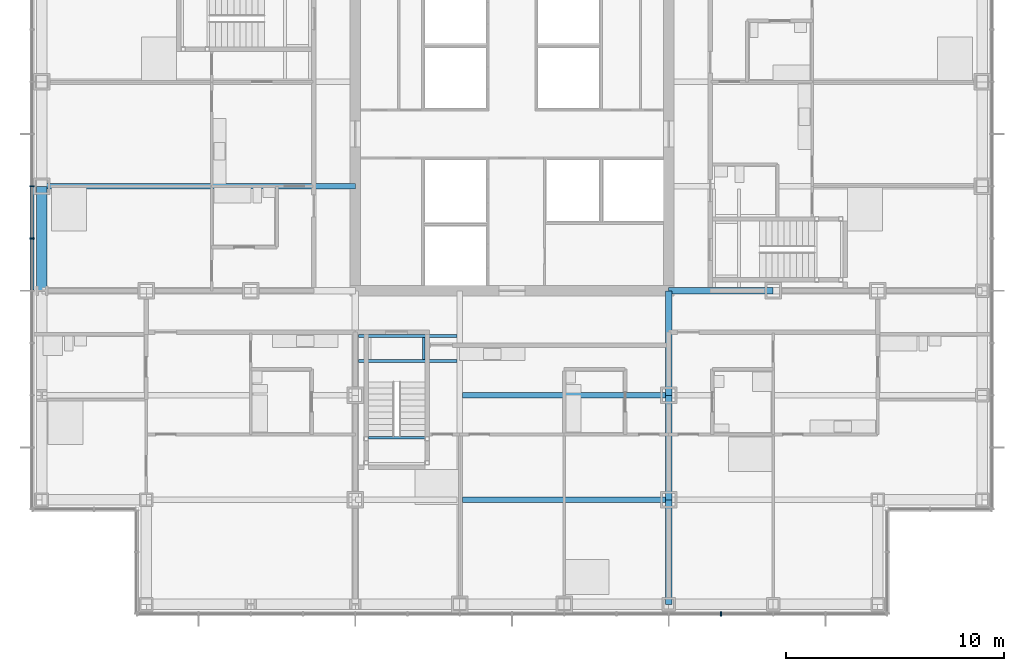
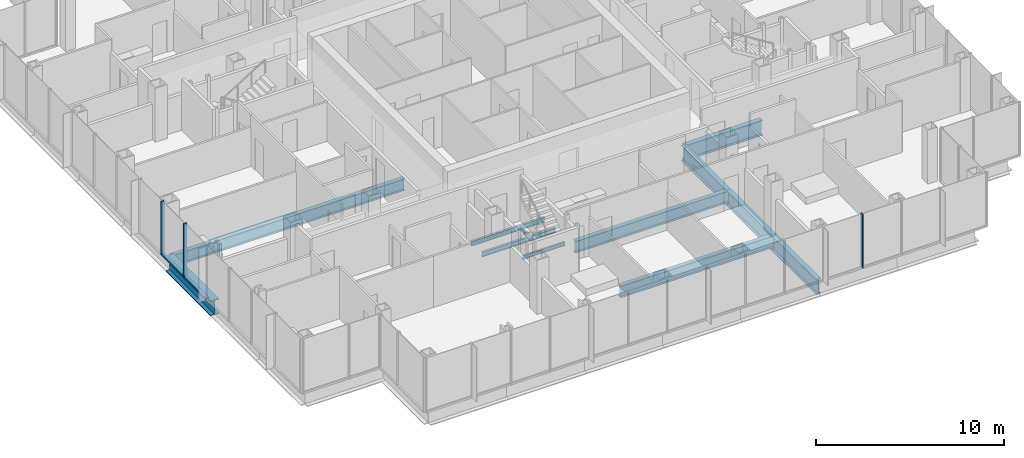
# One storey, part 7 of 21: 12 beams, 5 members, 2 elements without a shape of their own.
"""IFC4 building model written with IfcOpenShell, lengths in metres."""

from ifc_helpers import new_model, si_unit, direction, frame, origin, origin_2d, place, context, subcontext, project, spatial, rectangle, i_section, extrude, material, material_profile, profile_set, type_object, element, aggregate, save


model = new_model("IFC4")

# Units and contexts
model_context = context("Model", 3, precision=1e-05, world=origin(), true_north=direction((0.0, 1.0)))
body_context = subcontext(model_context, "Body", "Model", "MODEL_VIEW")
ifc_project = project(units=[si_unit("LENGTHUNIT", "METRE"), si_unit("AREAUNIT", "SQUARE_METRE"), si_unit("VOLUMEUNIT", "CUBIC_METRE"), si_unit("PLANEANGLEUNIT", "RADIAN"), si_unit("MASSUNIT", "GRAM", prefix="KILO")], contexts=[model_context])

# Site, building, storey
site_placement = place(None, origin())
site = spatial("IfcSite", under=ifc_project, at=site_placement, CompositionType="ELEMENT")
building_placement = place(site_placement, origin())
building = spatial("IfcBuilding", under=site, at=building_placement, Name="Kvirike Care Tower", CompositionType="ELEMENT")
storey_placement = place(building_placement, frame((0.0, 0.0, 58.5)))
storey = spatial("IfcBuildingStorey", under=building, at=storey_placement, Name="L15", CompositionType="ELEMENT", Elevation=58.5)

# Curtain wall, members
ifc_material_1 = material(Name="Anodised aluminium stick system", Category="aluminium")
curtain_wall_type = type_object("IfcCurtainWallType", Name="CW-A STICK CURTAIN WALL", PredefinedType="NOTDEFINED", material=ifc_material_1)
curtain_wall_1_placement = place(storey_placement, origin())
curtain_wall_1 = element("IfcCurtainWall", 1, at=curtain_wall_1_placement, inside=storey, type_object=curtain_wall_type, Name="Curtain wall L15 face 1", PredefinedType="NOTDEFINED")
ifc_material_2 = material(Name="Bronze anodised aluminium mullion", Category="aluminium")
ifc_material_profile_1 = material_profile(ifc_material_2, rectangle(XDim=0.06494140625, YDim=0.199951171875, at=origin_2d()), Name="CW-A MULLION 65x200")
ifc_profile_set_1 = profile_set([ifc_material_profile_1], Name="Bronze anodised aluminium mullion")
member_type_1 = type_object("IfcMemberType", Name="CW-A MULLION 65x200", PredefinedType="MULLION", material=ifc_profile_set_1)
member_1_placement = place(storey_placement, frame((-0.449951171875, 33.60009765625, 0.0), z_axis=(0.0, 0.0, 1.0), x_axis=(0.0, -1.0, 0.0)))
member_1 = element("IfcMember", 2, at=member_1_placement, type_object=member_type_1, Name="CW-A mullion L15 face 1.9", PredefinedType="MULLION", context=body_context, shape_type="SweptSolid", body=[
    extrude(rectangle(XDim=0.06494140625, YDim=0.199951171875, at=origin_2d()), origin(), (0.0, 0.0, 1.0), 3.5),
])
member_2_placement = place(storey_placement, frame((-0.449951171875, 31.199951171875, 0.0), z_axis=(0.0, 0.0, 1.0), x_axis=(0.0, -1.0, 0.0)))
member_2 = element("IfcMember", 3, at=member_2_placement, type_object=member_type_1, Name="CW-A mullion L15 face 1.10", PredefinedType="MULLION", context=body_context, shape_type="SweptSolid", body=[
    extrude(rectangle(XDim=0.06494140625, YDim=0.199951171875, at=origin_2d()), origin(), (0.0, 0.0, 1.0), 3.5),
])

# Curtain wall, member
curtain_wall_2_placement = place(storey_placement, origin())
curtain_wall_2 = element("IfcCurtainWall", 4, at=curtain_wall_2_placement, inside=storey, type_object=curtain_wall_type, Name="Curtain wall L15 face 4", PredefinedType="NOTDEFINED")
member_3_placement = place(storey_placement, frame((31.199951171875, 13.949951171875, 0.0), z_axis=(0.0, 0.0, 1.0), x_axis=(1.0, 0.0, 0.0)))
member_3 = element("IfcMember", 5, at=member_3_placement, type_object=member_type_1, Name="CW-A mullion L15 face 4.12", PredefinedType="MULLION", context=body_context, shape_type="SweptSolid", body=[
    extrude(rectangle(XDim=0.06494140625, YDim=0.199951171875, at=origin_2d()), origin(), (0.0, 0.0, 1.0), 3.5),
])
aggregate(curtain_wall_2, [member_3])

# Member
ifc_material_3 = material(Name="Bronze anodised aluminium transom", Category="aluminium")
ifc_material_profile_2 = material_profile(ifc_material_3, rectangle(XDim=0.199951171875, YDim=0.10009765625, at=origin_2d()), Name="CW-A TRANSOM 200x100")
ifc_profile_set_2 = profile_set([ifc_material_profile_2], Name="Bronze anodised aluminium transom")
member_type_2 = type_object("IfcMemberType", Name="CW-A TRANSOM 200x100", PredefinedType="USERDEFINED", material=ifc_profile_set_2)
member_4_placement = place(storey_placement, frame((-0.449951171875, 33.5673828125, 0.050048828125), z_axis=(0.0, -1.0, 0.0), x_axis=(1.0, 0.0, 0.0)))
member_4 = element("IfcMember", 6, at=member_4_placement, type_object=member_type_2, Name="CW-A sill transom L15 face 1.9", ObjectType="TRANSOM", PredefinedType="USERDEFINED", context=body_context, shape_type="SweptSolid", body=[
    extrude(rectangle(XDim=0.199951171875, YDim=0.10009765625, at=origin_2d()), origin(), (0.0, 0.0, 1.0), 2.3349609375),
])

member_5_placement = place(storey_placement, frame((-0.449951171875, 31.16748046875, 0.050048828125), z_axis=(0.0, -1.0, 0.0), x_axis=(1.0, 0.0, 0.0)))
member_5 = element("IfcMember", 7, at=member_5_placement, type_object=member_type_2, Name="CW-A sill transom L15 face 1.10", ObjectType="TRANSOM", PredefinedType="USERDEFINED", context=body_context, shape_type="SweptSolid", body=[
    extrude(rectangle(XDim=0.199951171875, YDim=0.10009765625, at=origin_2d()), origin(), (0.0, 0.0, 1.0), 2.3349609375),
])

aggregate(curtain_wall_1, [member_1, member_2, member_4, member_5])

# Beams
ifc_material_4 = material(Name="Steel S355", Category="steel")
ifc_material_profile_3 = material_profile(ifc_material_4, i_section(OverallWidth=0.26806640625, OverallDepth=0.77001953125, WebThickness=0.015625, FlangeThickness=0.025390625, FilletRadius=0.01708984375, at=origin_2d()), Name="IPE 750x196")
ifc_profile_set_3 = profile_set([ifc_material_profile_3], Name="Steel S355")
beam_type_1 = type_object("IfcBeamType", Name="FLOOR BEAM IPE 750x196", PredefinedType="BEAM", material=ifc_profile_set_3)
for number, where, z_axis, x_axis, name in (
    (8, (19.333984375, 19.199951171875, -0.554931640625), (1.0, 0.0, 0.0), (0.0, 1.0, 0.0), "Floor Beam E7-E9 L15"),
    (9, (19.333984375, 24.0, -0.554931640625), (1.0, 0.0, 0.0), (0.0, 1.0, 0.0), "Floor Beam F7-F9 L15"),
):
    element("IfcBeam", number, at=place(storey_placement, frame(where, z_axis=z_axis, x_axis=x_axis)), inside=storey, type_object=beam_type_1, Name=name, PredefinedType="BEAM", context=body_context, shape_type="SweptSolid", body=[
        extrude(i_section(OverallWidth=0.26806640625, OverallDepth=0.77001953125, WebThickness=0.015625, FlangeThickness=0.025390625, FilletRadius=0.01708984375, at=origin_2d()), origin(), (0.0, 0.0, 1.0), 9.466064453125),
    ])
beam_1_placement = place(storey_placement, frame((0.0, 33.60009765625, -0.554931640625), z_axis=(1.0, 0.0, 0.0), x_axis=(0.0, 1.0, 0.0)))
element("IfcBeam", 10, at=beam_1_placement, inside=storey, type_object=beam_type_1, Name="Floor Beam H3-H6 L15", PredefinedType="BEAM", context=body_context, shape_type="SweptSolid", body=[
    extrude(i_section(OverallWidth=0.26806640625, OverallDepth=0.77001953125, WebThickness=0.015625, FlangeThickness=0.025390625, FilletRadius=0.01708984375, at=origin_2d()), origin(), (0.0, 0.0, 1.0), 14.39990234375),
])
ifc_material_5 = material(Name="Steel S355", Category="steel")
ifc_material_profile_4 = material_profile(ifc_material_5, i_section(OverallWidth=0.300048828125, OverallDepth=1.0, WebThickness=0.01904296875, FlangeThickness=0.035888671875, FilletRadius=0.030029296875, at=origin_2d()), Name="HE 1000 B")
ifc_profile_set_4 = profile_set([ifc_material_profile_4], Name="Steel S355")
beam_type_2 = type_object("IfcBeamType", Name="FRAME BEAM HE 1000 B", PredefinedType="BEAM", material=ifc_profile_set_4)
for number, where, z_axis, x_axis, name in (
    (11, (28.800048828125, 28.800048828125, -0.669921875), (1.0, 0.0, 0.0), (0.0, 1.0, 0.0), "Frame Beam G9-G10 L15"),
    (12, (28.800048828125, 14.39990234375, -0.669921875), (0.0, 1.0, 0.0), (-1.0, 0.0, 0.0), "Frame Beam D9-E9 L15"),
    (13, (28.800048828125, 19.199951171875, -0.669921875), (0.0, 1.0, 0.0), (-1.0, 0.0, 0.0), "Frame Beam E9-F9 L15"),
    (14, (28.800048828125, 24.0, -0.669921875), (0.0, 1.0, 0.0), (-1.0, 0.0, 0.0), "Frame Beam F9-G9 L15"),
):
    element("IfcBeam", number, at=place(storey_placement, frame(where, z_axis=z_axis, x_axis=x_axis)), inside=storey, type_object=beam_type_2, Name=name, PredefinedType="BEAM", context=body_context, shape_type="SweptSolid", body=[
        extrude(i_section(OverallWidth=0.300048828125, OverallDepth=1.0, WebThickness=0.01904296875, FlangeThickness=0.035888671875, FilletRadius=0.030029296875, at=origin_2d()), origin(), (0.0, 0.0, 1.0), 4.800048828125),
    ])
ifc_material_6 = material(Name="Steel S355", Category="steel")
ifc_material_profile_5 = material_profile(ifc_material_6, i_section(OverallWidth=0.5, OverallDepth=1.0, WebThickness=0.030029296875, FlangeThickness=0.06005859375, at=origin_2d()), Name="PG 1000x500x30x60")
ifc_profile_set_5 = profile_set([ifc_material_profile_5], Name="Steel S355")
beam_type_3 = type_object("IfcBeamType", Name="SPANDREL PG 1000x500x30x60", PredefinedType="SPANDREL", material=ifc_profile_set_5)
beam_2_placement = place(storey_placement, frame((0.0, 28.800048828125, -0.669921875), z_axis=(0.0, 1.0, 0.0), x_axis=(-1.0, 0.0, 0.0)))
element("IfcBeam", 15, at=beam_2_placement, inside=storey, type_object=beam_type_3, Name="Spandrel G3-H3 L15", PredefinedType="SPANDREL", context=body_context, shape_type="SweptSolid", body=[
    extrude(i_section(OverallWidth=0.5, OverallDepth=1.0, WebThickness=0.030029296875, FlangeThickness=0.06005859375, at=origin_2d()), origin(), (0.0, 0.0, 1.0), 4.800048828125),
])
ifc_material_7 = material(Name="Steel S355", Category="steel")
ifc_material_profile_6 = material_profile(ifc_material_7, i_section(OverallWidth=0.1201171875, OverallDepth=0.239990234375, WebThickness=0.006103515625, FlangeThickness=0.009765625, FilletRadius=0.014892578125, at=origin_2d()), Name="IPE 240")
ifc_profile_set_6 = profile_set([ifc_material_profile_6], Name="Steel S355")
beam_type_4 = type_object("IfcBeamType", Name="STAIR LANDING BEAM IPE 240", PredefinedType="BEAM", material=ifc_profile_set_6)
beam_3_placement = place(storey_placement, frame((15.0, 22.0400390625, 1.429931640625), z_axis=(1.0, 0.0, 0.0), x_axis=(0.0, 1.0, 0.0)))
element("IfcBeam", 16, at=beam_3_placement, inside=storey, type_object=beam_type_4, Name="Stair 5 landing beam front L15", PredefinedType="BEAM", context=body_context, shape_type="SweptSolid", body=[
    extrude(i_section(OverallWidth=0.1201171875, OverallDepth=0.239990234375, WebThickness=0.006103515625, FlangeThickness=0.009765625, FilletRadius=0.014892578125, at=origin_2d()), origin(), (0.0, 0.0, 1.0), 2.60009765625),
])
beam_4_placement = place(storey_placement, frame((17.5400390625, 25.64990234375, -0.320068359375), z_axis=(0.0, 1.0, 0.0), x_axis=(-1.0, 0.0, 0.0)))
element("IfcBeam", 17, at=beam_4_placement, inside=storey, type_object=beam_type_4, Name="Stair 5 landing edge beam 2 L15", PredefinedType="BEAM", context=body_context, shape_type="SweptSolid", body=[
    extrude(i_section(OverallWidth=0.1201171875, OverallDepth=0.239990234375, WebThickness=0.006103515625, FlangeThickness=0.009765625, FilletRadius=0.014892578125, at=origin_2d()), origin(), (0.0, 0.0, 1.0), 1.0),
])
ifc_material_8 = material(Name="Steel S355", Category="steel")
ifc_material_profile_7 = material_profile(ifc_material_8, i_section(OverallWidth=0.14990234375, OverallDepth=0.300048828125, WebThickness=0.007080078125, FlangeThickness=0.0107421875, FilletRadius=0.014892578125, at=origin_2d()), Name="IPE 300")
ifc_profile_set_7 = profile_set([ifc_material_profile_7], Name="Steel S355")
beam_type_5 = type_object("IfcBeamType", Name="STAIR TRIMMER IPE 300", PredefinedType="BEAM", material=ifc_profile_set_7)
for number, where, z_axis, x_axis, name in (
    (18, (14.550048828125, 25.574951171875, -0.35009765625), (1.0, 0.0, 0.0), (0.0, 1.0, 0.0), "Stair 5 trimmer 1 L15"),
    (19, (14.550048828125, 26.72509765625, -0.35009765625), (1.0, 0.0, 0.0), (0.0, 1.0, 0.0), "Stair 5 trimmer 2 L15"),
):
    element("IfcBeam", number, at=place(storey_placement, frame(where, z_axis=z_axis, x_axis=x_axis)), inside=storey, type_object=beam_type_5, Name=name, PredefinedType="BEAM", context=body_context, shape_type="SweptSolid", body=[
        extrude(i_section(OverallWidth=0.14990234375, OverallDepth=0.300048828125, WebThickness=0.007080078125, FlangeThickness=0.0107421875, FilletRadius=0.014892578125, at=origin_2d()), origin(), (0.0, 0.0, 1.0), 4.515869140625),
    ])

save(model, "model.ifc")
